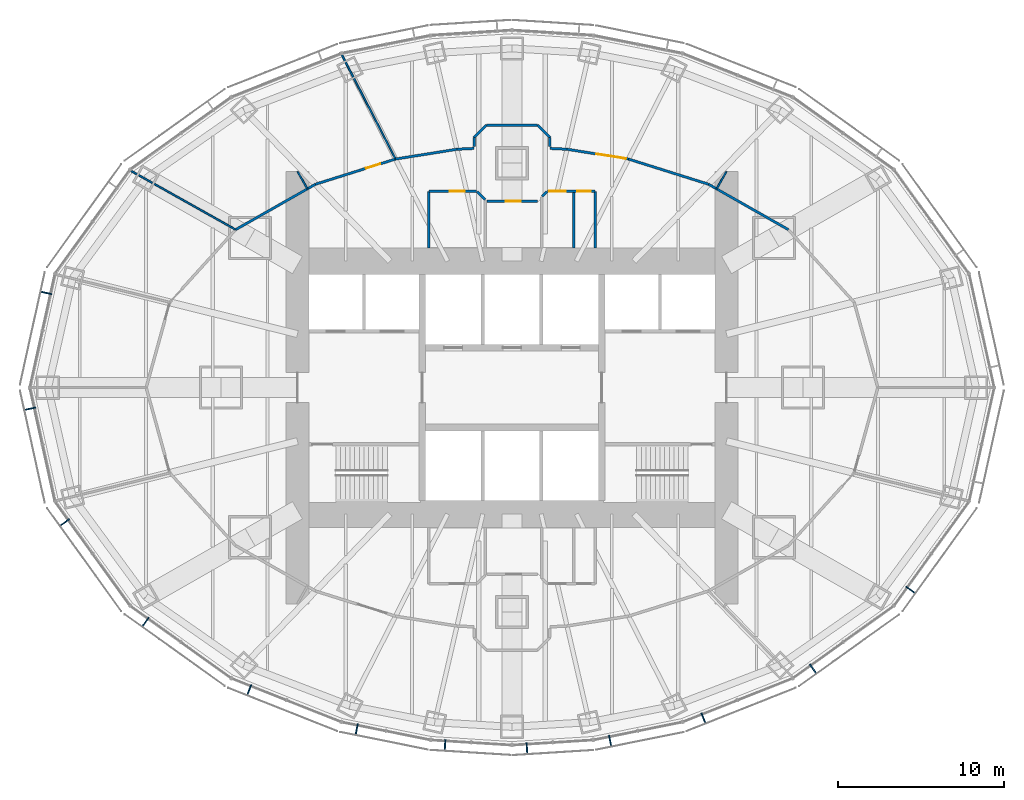
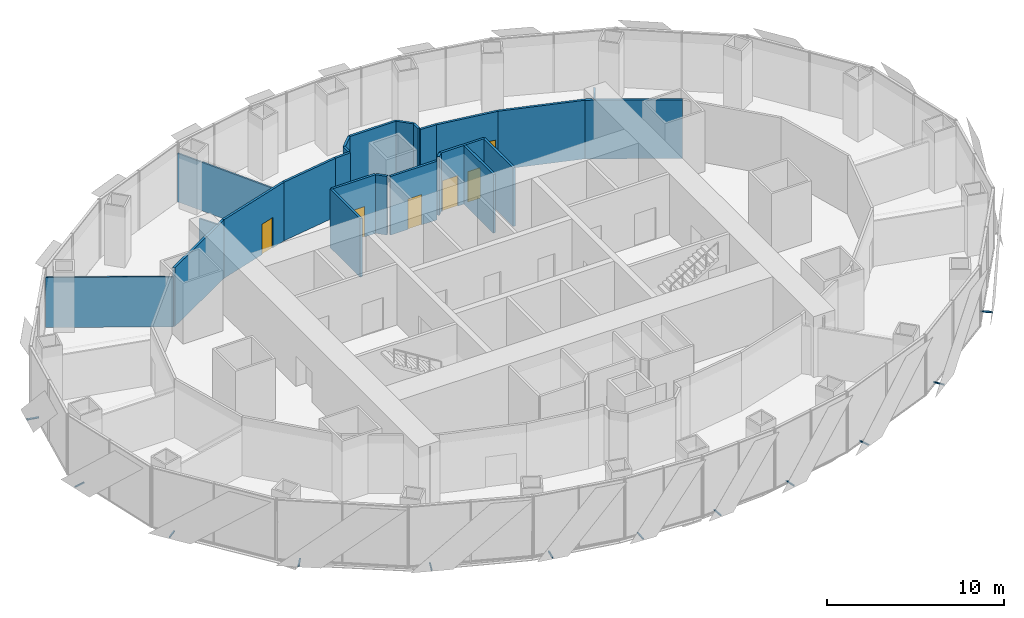
# One storey, part 13 of 17: 25 walls, 12 discrete accessories, 6 doors, 6 openings.
"""IFC4 building model written with IfcOpenShell, lengths in metres."""

from ifc_helpers import new_model, si_unit, direction, frame, frame_2d, origin, origin_2d, place, context, subcontext, project, spatial, rectangle, extrude, material, layer, layer_set, type_object, element, fill, save


model = new_model("IFC4")

# Units and contexts
model_context = context("Model", 3, precision=1e-05, world=origin(), true_north=direction((0.0, 1.0)))
body_context = subcontext(model_context, "Body", "Model", "MODEL_VIEW")
ifc_project = project(units=[si_unit("LENGTHUNIT", "METRE"), si_unit("AREAUNIT", "SQUARE_METRE"), si_unit("VOLUMEUNIT", "CUBIC_METRE"), si_unit("PLANEANGLEUNIT", "RADIAN"), si_unit("MASSUNIT", "GRAM", prefix="KILO")], contexts=[model_context])

# Site, building, storey
site_placement = place(None, origin())
site = spatial("IfcSite", under=ifc_project, at=site_placement, CompositionType="ELEMENT")
building_placement = place(site_placement, origin())
building = spatial("IfcBuilding", under=site, at=building_placement, Name="Lantaw Convention Tower", CompositionType="ELEMENT")
storey_placement = place(building_placement, frame((0.0, 0.0, 117.39990234375)))
storey = spatial("IfcBuildingStorey", under=building, at=storey_placement, Name="L27", CompositionType="ELEMENT", Elevation=117.39990234375)

# Walls
ifc_material_1 = material(Name="Gypsum board on steel studs, fire rated", Category="steel")
ifc_layer_1 = layer(ifc_material_1, 0.14990234375)
ifc_layer_set_1 = layer_set([ifc_layer_1], Name="Corridor wall 150 EI 60")
wall_type_1 = type_object("IfcWallType", Name="Corridor wall 150 EI 60", PredefinedType="PARTITIONING", material=ifc_layer_set_1)
wall_1_placement = place(storey_placement, frame((16.62255859375, 9.49853515625, 0.0), z_axis=(0.0, 0.0, 1.0), x_axis=(-0.869375991036, 0.494151177485, 0.0)))
element("IfcWall", 1, at=wall_1_placement, inside=storey, type_object=wall_type_1, Name="Corridor wall 150", PredefinedType="PARTITIONING", context=body_context, shape_type="SweptSolid", body=[
    extrude(rectangle(XDim=5.532470703125, YDim=0.14990234375, at=frame_2d((2.76611328125, 0.0))), origin(), (0.0, 0.0, 1.0), 4.050048828125),
])
wall_2_placement = place(storey_placement, frame((11.812744140625, 12.232421875, 0.0), z_axis=(0.0, 0.0, 1.0), x_axis=(-0.953893934057, 0.300143903101, 0.0)))
element("IfcWall", 2, at=wall_2_placement, inside=storey, type_object=wall_type_1, Name="Corridor wall 150", PredefinedType="PARTITIONING", context=body_context, shape_type="SweptSolid", body=[
    extrude(rectangle(XDim=5.04150390625, YDim=0.14990234375, at=frame_2d((2.520751953125, 0.0))), origin(), (0.0, 0.0, 1.0), 4.050048828125),
])

# Wall, opening, door
wall_3_placement = place(storey_placement, frame((7.003662109375, 13.74560546875, 0.0), z_axis=(0.0, 0.0, 1.0), x_axis=(-0.987511396594, 0.157547585181, 0.0)))
wall_3 = element("IfcWall", 3, at=wall_3_placement, inside=storey, type_object=wall_type_1, Name="Corridor wall 150", PredefinedType="PARTITIONING", context=body_context, shape_type="SweptSolid", body=[
    extrude(rectangle(XDim=3.74072265625, YDim=0.14990234375, at=frame_2d((1.870361328125, 0.0))), origin(), (0.0, 0.0, 1.0), 4.050048828125),
])
opening_1_placement = place(wall_3_placement, frame((0.14990234375, 0.0, 0.0)))
opening_1 = element("IfcOpeningElement", 4, at=opening_1_placement, cuts=wall_3, Name="Opening L27.22", PredefinedType="OPENING", context=body_context, shape_type="SweptSolid", body=[
    extrude(rectangle(XDim=1.800048828125, YDim=2.10009765625, at=frame_2d((0.89990234375, 1.050048828125))), frame((0.0, 0.0849609375, 0.0), z_axis=(0.0, -1.0, 0.0), x_axis=(1.0, 0.0, 0.0)), (0.0, 0.0, 1.0), 0.169921875),
])
ifc_material_2 = material(Name="Steel, fire rated", Category="steel")
door_type_1 = type_object("IfcDoorType", Name="Office double door 1800 FD30", OperationType="DOUBLE_DOOR_DOUBLE_SWING", PredefinedType="DOOR", material=ifc_material_2)
door_1_placement = place(opening_1_placement, origin())
door_1 = element("IfcDoor", 5, at=door_1_placement, inside=storey, type_object=door_type_1, Name="Contact-centre floor door", OperationType="DOUBLE_DOOR_DOUBLE_SWING", OverallHeight=2.10009765625, OverallWidth=1.800048828125, PredefinedType="DOOR", context=body_context, shape_type="SweptSolid", body=[
    extrude(rectangle(XDim=1.800048828125, YDim=2.10009765625, at=frame_2d((0.89990234375, 1.050048828125))), frame((0.0, 0.02490234375, 0.0), z_axis=(0.0, -1.0, 0.0), x_axis=(1.0, 0.0, 0.0)), (0.0, 0.0, 1.0), 0.050048828125),
])
fill(opening_1, door_1)

# Wall
wall_4_placement = place(storey_placement, frame((-3.3095703125, 14.3349609375, 0.0), z_axis=(0.0, 0.0, 1.0), x_axis=(-0.987511396594, -0.157547585181, 0.0)))
element("IfcWall", 6, at=wall_4_placement, inside=storey, type_object=wall_type_1, Name="Corridor wall 150", PredefinedType="PARTITIONING", context=body_context, shape_type="SweptSolid", body=[
    extrude(rectangle(XDim=3.74072265625, YDim=0.14990234375, at=frame_2d((1.870361328125, 0.0))), origin(), (0.0, 0.0, 1.0), 4.050048828125),
])

# Wall, opening, door
wall_5_placement = place(storey_placement, frame((-7.003662109375, 13.74560546875, 0.0), z_axis=(0.0, 0.0, 1.0), x_axis=(-0.953893934057, -0.300143903101, 0.0)))
wall_5 = element("IfcWall", 7, at=wall_5_placement, inside=storey, type_object=wall_type_1, Name="Corridor wall 150", PredefinedType="PARTITIONING", context=body_context, shape_type="SweptSolid", body=[
    extrude(rectangle(XDim=5.04150390625, YDim=0.14990234375, at=frame_2d((2.520751953125, 0.0))), origin(), (0.0, 0.0, 1.0), 4.050048828125),
])
opening_2_placement = place(wall_5_placement, frame((0.958740234375, 0.0, 0.0)))
opening_2 = element("IfcOpeningElement", 8, at=opening_2_placement, cuts=wall_5, Name="Opening L27.23", PredefinedType="OPENING", context=body_context, shape_type="SweptSolid", body=[
    extrude(rectangle(XDim=0.89990234375, YDim=2.10009765625, at=frame_2d((0.449951171875, 1.050048828125))), frame((0.0, 0.0849609375, 0.0), z_axis=(0.0, -1.0, 0.0), x_axis=(1.0, 0.0, 0.0)), (0.0, 0.0, 1.0), 0.169921875),
])
door_type_2 = type_object("IfcDoorType", Name="Office door 900 FD30", OperationType="SINGLE_SWING_LEFT", PredefinedType="DOOR", material=ifc_material_2)
door_2_placement = place(opening_2_placement, origin())
door_2 = element("IfcDoor", 9, at=door_2_placement, inside=storey, type_object=door_type_2, Name="Training room door", OperationType="SINGLE_SWING_LEFT", OverallHeight=2.10009765625, OverallWidth=0.89990234375, PredefinedType="DOOR", context=body_context, shape_type="SweptSolid", body=[
    extrude(rectangle(XDim=0.89990234375, YDim=2.10009765625, at=frame_2d((0.449951171875, 1.050048828125))), frame((0.0, 0.02490234375, 0.0), z_axis=(0.0, -1.0, 0.0), x_axis=(1.0, 0.0, 0.0)), (0.0, 0.0, 1.0), 0.050048828125),
])
fill(opening_2, door_2)

# Walls
wall_6_placement = place(storey_placement, frame((-11.812744140625, 12.232421875, 0.0), z_axis=(0.0, 0.0, 1.0), x_axis=(-0.869375991036, -0.494151177485, 0.0)))
element("IfcWall", 10, at=wall_6_placement, inside=storey, type_object=wall_type_1, Name="Corridor wall 150", PredefinedType="PARTITIONING", context=body_context, shape_type="SweptSolid", body=[
    extrude(rectangle(XDim=5.532470703125, YDim=0.14990234375, at=frame_2d((2.76611328125, 0.0))), origin(), (0.0, 0.0, 1.0), 4.050048828125),
])
for number, where, z_axis, x_axis, name in (
    (11, (3.3095703125, 14.3349609375, 0.0), (0.0, 0.0, 1.0), (-0.998761909217, 0.049745841003, 0.0), "Corridor wall 150"),
    (12, (-2.294921875, 14.385498046875, 0.0), (0.0, 0.0, 1.0), (-0.998761909217, -0.049745841003, 0.0), "Corridor wall 150"),
):
    element("IfcWall", number, at=place(storey_placement, frame(where, z_axis=z_axis, x_axis=x_axis)), inside=storey, type_object=wall_type_1, Name=name, PredefinedType="PARTITIONING", context=body_context, shape_type="SweptSolid", body=[
        extrude(rectangle(XDim=1.015869140625, YDim=0.14990234375, at=frame_2d((0.5078125, 0.0))), origin(), (0.0, 0.0, 1.0), 4.050048828125),
    ])
wall_7_placement = place(storey_placement, frame((-2.284912109375, 14.487060546875, 0.0), z_axis=(0.0, 0.0, 1.0), x_axis=(0.0, 1.0, 0.0)))
element("IfcWall", 13, at=wall_7_placement, inside=storey, type_object=wall_type_1, Name="Corridor wall 150", PredefinedType="PARTITIONING", context=body_context, shape_type="SweptSolid", body=[
    extrude(rectangle(XDim=0.545166015625, YDim=0.14990234375, at=frame_2d((0.2724609375, 0.0))), origin(), (0.0, 0.0, 1.0), 4.050048828125),
])
wall_8_placement = place(storey_placement, frame((-2.284912109375, 15.0322265625, 0.0), z_axis=(0.0, 0.0, 1.0), x_axis=(0.707106781187, 0.707106781187, 0.0)))
element("IfcWall", 14, at=wall_8_placement, inside=storey, type_object=wall_type_1, Name="Corridor wall 150", PredefinedType="PARTITIONING", context=body_context, shape_type="SweptSolid", body=[
    extrude(rectangle(XDim=1.064453125, YDim=0.14990234375, at=frame_2d((0.5322265625, 0.0))), origin(), (0.0, 0.0, 1.0), 4.050048828125),
])
wall_9_placement = place(storey_placement, frame((-1.5322265625, 15.784912109375, 0.0), z_axis=(0.0, 0.0, 1.0), x_axis=(1.0, 0.0, 0.0)))
element("IfcWall", 15, at=wall_9_placement, inside=storey, type_object=wall_type_1, Name="Corridor wall 150", PredefinedType="PARTITIONING", context=body_context, shape_type="SweptSolid", body=[
    extrude(rectangle(XDim=3.064453125, YDim=0.14990234375, at=frame_2d((1.5322265625, 0.0))), origin(), (0.0, 0.0, 1.0), 4.050048828125),
])
wall_10_placement = place(storey_placement, frame((1.5322265625, 15.784912109375, 0.0), z_axis=(0.0, 0.0, 1.0), x_axis=(0.707106781187, -0.707106781187, 0.0)))
element("IfcWall", 16, at=wall_10_placement, inside=storey, type_object=wall_type_1, Name="Corridor wall 150", PredefinedType="PARTITIONING", context=body_context, shape_type="SweptSolid", body=[
    extrude(rectangle(XDim=1.064453125, YDim=0.14990234375, at=frame_2d((0.5322265625, 0.0))), origin(), (0.0, 0.0, 1.0), 4.050048828125),
])
wall_11_placement = place(storey_placement, frame((2.284912109375, 15.0322265625, 0.0), z_axis=(0.0, 0.0, 1.0), x_axis=(0.0, -1.0, 0.0)))
element("IfcWall", 17, at=wall_11_placement, inside=storey, type_object=wall_type_1, Name="Corridor wall 150", PredefinedType="PARTITIONING", context=body_context, shape_type="SweptSolid", body=[
    extrude(rectangle(XDim=0.545166015625, YDim=0.14990234375, at=frame_2d((0.2724609375, 0.0))), origin(), (0.0, 0.0, 1.0), 4.050048828125),
])
ifc_material_3 = material(Name="Gypsum board on steel studs, acoustic", Category="steel")
ifc_layer_2 = layer(ifc_material_3, 0.10009765625)
ifc_layer_set_2 = layer_set([ifc_layer_2], Name="Office partition 100")
wall_type_2 = type_object("IfcWallType", Name="Office partition 100", PredefinedType="PARTITIONING", material=ifc_layer_set_2)
wall_12_placement = place(storey_placement, frame((-10.25341796875, 20.0517578125, 0.0), z_axis=(0.0, 0.0, 1.0), x_axis=(0.458082677592, -0.888909590729, 0.0)))
element("IfcWall", 18, at=wall_12_placement, inside=storey, type_object=wall_type_2, Name="Office partition 100", PredefinedType="PARTITIONING", context=body_context, shape_type="SweptSolid", body=[
    extrude(rectangle(XDim=7.09423828125, YDim=0.10009765625, at=frame_2d((3.547119140625, 0.0))), origin(), (0.0, 0.0, 1.0), 3.34912109375),
])
wall_13_placement = place(storey_placement, frame((-22.94921875, 13.058837890625, 0.0), z_axis=(0.0, 0.0, 1.0), x_axis=(0.871483913002, -0.490424091352, 0.0)))
element("IfcWall", 19, at=wall_13_placement, inside=storey, type_object=wall_type_2, Name="Office partition 100", PredefinedType="PARTITIONING", context=body_context, shape_type="SweptSolid", body=[
    extrude(rectangle(XDim=7.259521484375, YDim=0.10009765625, at=frame_2d((3.6298828125, 0.0))), origin(), (0.0, 0.0, 1.0), 3.45068359375),
])
for number, where, z_axis, x_axis, name in (
    (20, (12.89990234375, 13.0, 0.0), (0.0, 0.0, 1.0), (-0.494173075358, -0.869363543974, 0.0), "Office partition 100"),
    (21, (-12.89990234375, 13.0, 0.0), (0.0, 0.0, 1.0), (0.494173075358, -0.869363543974, 0.0), "Office partition 100"),
):
    element("IfcWall", number, at=place(storey_placement, frame(where, z_axis=z_axis, x_axis=x_axis)), inside=storey, type_object=wall_type_2, Name=name, PredefinedType="PARTITIONING", context=body_context, shape_type="SweptSolid", body=[
        extrude(rectangle(XDim=1.204345703125, YDim=0.10009765625, at=frame_2d((0.60205078125, 0.0))), origin(), (0.0, 0.0, 1.0), 4.050048828125),
    ])
ifc_material_4 = material(Name="Concrete blockwork", Category="masonry")
ifc_layer_3 = layer(ifc_material_4, 0.14990234375)
ifc_layer_set_3 = layer_set([ifc_layer_3], Name="WC wall 150")
wall_type_3 = type_object("IfcWallType", Name="WC wall 150", PredefinedType="SOLIDWALL", material=ifc_layer_set_3)
for number, where, z_axis, x_axis, name in (
    (22, (-5.0, 8.39990234375, 0.0), (0.0, 0.0, 1.0), (0.0, 1.0, 0.0), "WC wall 150"),
    (23, (5.0, 8.39990234375, 0.0), (0.0, 0.0, 1.0), (0.0, 1.0, 0.0), "WC wall 150"),
    (24, (3.699951171875, 8.39990234375, 0.0), (0.0, 0.0, 1.0), (0.0, 1.0, 0.0), "WC wall 150"),
):
    element("IfcWall", number, at=place(storey_placement, frame(where, z_axis=z_axis, x_axis=x_axis)), inside=storey, type_object=wall_type_3, Name=name, PredefinedType="SOLIDWALL", context=body_context, shape_type="SweptSolid", body=[
        extrude(rectangle(XDim=3.400146484375, YDim=0.14990234375, at=frame_2d((1.7001953125, 0.0))), origin(), (0.0, 0.0, 1.0), 4.050048828125),
    ])

# Wall, opening, door
wall_14_placement = place(storey_placement, frame((-5.0, 11.800048828125, 0.0), z_axis=(0.0, 0.0, 1.0), x_axis=(1.0, 0.0, 0.0)))
wall_14 = element("IfcWall", 25, at=wall_14_placement, inside=storey, type_object=wall_type_3, Name="WC wall 150", PredefinedType="SOLIDWALL", context=body_context, shape_type="SweptSolid", body=[
    extrude(rectangle(XDim=2.86865234375, YDim=0.14990234375, at=frame_2d((1.434326171875, 0.0))), origin(), (0.0, 0.0, 1.0), 4.050048828125),
])
opening_3_placement = place(wall_14_placement, frame((1.25, 0.0, 0.0)))
opening_3 = element("IfcOpeningElement", 26, at=opening_3_placement, cuts=wall_14, Name="Opening L27.14", PredefinedType="OPENING", context=body_context, shape_type="SweptSolid", body=[
    extrude(rectangle(XDim=0.89990234375, YDim=2.10009765625, at=frame_2d((0.449951171875, 1.050048828125))), frame((0.0, 0.0849609375, 0.0), z_axis=(0.0, -1.0, 0.0), x_axis=(1.0, 0.0, 0.0)), (0.0, 0.0, 1.0), 0.169921875),
])
ifc_material_5 = material(Name="Timber", Category="wood")
door_type_3 = type_object("IfcDoorType", Name="WC door 900", OperationType="SINGLE_SWING_LEFT", PredefinedType="DOOR", material=ifc_material_5)
door_3_placement = place(opening_3_placement, origin())
door_3 = element("IfcDoor", 27, at=door_3_placement, inside=storey, type_object=door_type_3, Name="Male WC door", OperationType="SINGLE_SWING_LEFT", OverallHeight=2.10009765625, OverallWidth=0.89990234375, PredefinedType="DOOR", context=body_context, shape_type="SweptSolid", body=[
    extrude(rectangle(XDim=0.89990234375, YDim=2.10009765625, at=frame_2d((0.449951171875, 1.050048828125))), frame((0.0, 0.02490234375, 0.0), z_axis=(0.0, -1.0, 0.0), x_axis=(1.0, 0.0, 0.0)), (0.0, 0.0, 1.0), 0.050048828125),
])
fill(opening_3, door_3)

# Wall, openings, doors
wall_15_placement = place(storey_placement, frame((2.13134765625, 11.800048828125, 0.0), z_axis=(0.0, 0.0, 1.0), x_axis=(1.0, 0.0, 0.0)))
wall_15 = element("IfcWall", 28, at=wall_15_placement, inside=storey, type_object=wall_type_3, Name="WC wall 150", PredefinedType="SOLIDWALL", context=body_context, shape_type="SweptSolid", body=[
    extrude(rectangle(XDim=2.86865234375, YDim=0.14990234375, at=frame_2d((1.434326171875, 0.0))), origin(), (0.0, 0.0, 1.0), 4.050048828125),
])
opening_4_placement = place(wall_15_placement, frame((0.10009765625, 0.0, 0.0)))
opening_4 = element("IfcOpeningElement", 29, at=opening_4_placement, cuts=wall_15, Name="Opening L27.16", PredefinedType="OPENING", context=body_context, shape_type="SweptSolid", body=[
    extrude(rectangle(XDim=1.0, YDim=2.10009765625, at=frame_2d((0.5, 1.050048828125))), frame((0.0, 0.0849609375, 0.0), z_axis=(0.0, -1.0, 0.0), x_axis=(1.0, 0.0, 0.0)), (0.0, 0.0, 1.0), 0.169921875),
])
opening_5_placement = place(wall_15_placement, frame((1.800048828125, 0.0, 0.0)))
opening_5 = element("IfcOpeningElement", 30, at=opening_5_placement, cuts=wall_15, Name="Opening L27.17", PredefinedType="OPENING", context=body_context, shape_type="SweptSolid", body=[
    extrude(rectangle(XDim=0.800048828125, YDim=2.10009765625, at=frame_2d((0.39990234375, 1.050048828125))), frame((0.0, 0.0849609375, 0.0), z_axis=(0.0, -1.0, 0.0), x_axis=(1.0, 0.0, 0.0)), (0.0, 0.0, 1.0), 0.169921875),
])
door_type_4 = type_object("IfcDoorType", Name="Accessible WC door 1000", OperationType="SINGLE_SWING_LEFT", PredefinedType="DOOR", material=ifc_material_5)
door_4_placement = place(opening_4_placement, origin())
door_4 = element("IfcDoor", 31, at=door_4_placement, inside=storey, type_object=door_type_4, Name="Accessible WC door", OperationType="SINGLE_SWING_LEFT", OverallHeight=2.10009765625, OverallWidth=1.0, PredefinedType="DOOR", context=body_context, shape_type="SweptSolid", body=[
    extrude(rectangle(XDim=1.0, YDim=2.10009765625, at=frame_2d((0.5, 1.050048828125))), frame((0.0, 0.02490234375, 0.0), z_axis=(0.0, -1.0, 0.0), x_axis=(1.0, 0.0, 0.0)), (0.0, 0.0, 1.0), 0.050048828125),
])
fill(opening_4, door_4)
door_type_5 = type_object("IfcDoorType", Name="WC door 800", OperationType="SINGLE_SWING_LEFT", PredefinedType="DOOR", material=ifc_material_5)
door_5_placement = place(opening_5_placement, origin())
door_5 = element("IfcDoor", 32, at=door_5_placement, inside=storey, type_object=door_type_5, Name="Cleaner's store door", OperationType="SINGLE_SWING_LEFT", OverallHeight=2.10009765625, OverallWidth=0.800048828125, PredefinedType="DOOR", context=body_context, shape_type="SweptSolid", body=[
    extrude(rectangle(XDim=0.800048828125, YDim=2.10009765625, at=frame_2d((0.39990234375, 1.050048828125))), frame((0.0, 0.02490234375, 0.0), z_axis=(0.0, -1.0, 0.0), x_axis=(1.0, 0.0, 0.0)), (0.0, 0.0, 1.0), 0.050048828125),
])
fill(opening_5, door_5)

# Wall
wall_16_placement = place(storey_placement, frame((-1.615966796875, 11.298583984375, 0.0), z_axis=(0.0, 0.0, 1.0), x_axis=(-0.706928959799, 0.707284557867, 0.0)))
element("IfcWall", 33, at=wall_16_placement, inside=storey, type_object=wall_type_3, Name="WC wall 150", PredefinedType="SOLIDWALL", context=body_context, shape_type="SweptSolid", body=[
    extrude(rectangle(XDim=0.6865234375, YDim=0.14990234375, at=frame_2d((0.34326171875, 0.0))), origin(), (0.0, 0.0, 1.0), 4.050048828125),
])

# Wall, opening, door
wall_17_placement = place(storey_placement, frame((1.5322265625, 11.215087890625, 0.0), z_axis=(0.0, 0.0, 1.0), x_axis=(-1.0, 0.0, 0.0)))
wall_17 = element("IfcWall", 34, at=wall_17_placement, inside=storey, type_object=wall_type_3, Name="WC wall 150", PredefinedType="SOLIDWALL", context=body_context, shape_type="SweptSolid", body=[
    extrude(rectangle(XDim=3.02734375, YDim=0.14990234375, at=frame_2d((1.513671875, 0.0))), origin(), (0.0, 0.0, 1.0), 4.050048828125),
])
opening_6_placement = place(wall_17_placement, frame((1.0, 0.0, 0.0)))
opening_6 = element("IfcOpeningElement", 35, at=opening_6_placement, cuts=wall_17, Name="Opening L27.15", PredefinedType="OPENING", context=body_context, shape_type="SweptSolid", body=[
    extrude(rectangle(XDim=0.89990234375, YDim=2.10009765625, at=frame_2d((0.449951171875, 1.050048828125))), frame((0.0, 0.0849609375, 0.0), z_axis=(0.0, -1.0, 0.0), x_axis=(1.0, 0.0, 0.0)), (0.0, 0.0, 1.0), 0.169921875),
])
door_6_placement = place(opening_6_placement, origin())
door_6 = element("IfcDoor", 36, at=door_6_placement, inside=storey, type_object=door_type_3, Name="Female WC door", OperationType="SINGLE_SWING_LEFT", OverallHeight=2.10009765625, OverallWidth=0.89990234375, PredefinedType="DOOR", context=body_context, shape_type="SweptSolid", body=[
    extrude(rectangle(XDim=0.89990234375, YDim=2.10009765625, at=frame_2d((0.449951171875, 1.050048828125))), frame((0.0, 0.02490234375, 0.0), z_axis=(0.0, -1.0, 0.0), x_axis=(1.0, 0.0, 0.0)), (0.0, 0.0, 1.0), 0.050048828125),
])
fill(opening_6, door_6)

# Wall
wall_18_placement = place(storey_placement, frame((2.101318359375, 11.7841796875, 0.0), z_axis=(0.0, 0.0, 1.0), x_axis=(-0.706804405012, -0.707409028113, 0.0)))
element("IfcWall", 37, at=wall_18_placement, inside=storey, type_object=wall_type_3, Name="WC wall 150", PredefinedType="SOLIDWALL", context=body_context, shape_type="SweptSolid", body=[
    extrude(rectangle(XDim=0.40380859375, YDim=0.14990234375, at=frame_2d((0.201904296875, 0.0))), origin(), (0.0, 0.0, 1.0), 4.050048828125),
])

# Discrete accessories
for number, where, z_axis, x_axis, name in (
    (38, (-28.008056640625, 5.6953125, -0.114990234375), (0.0, 0.0, 1.0), (-0.215546166174, -0.9764936509, 0.0), "Screen bracket"),
    (39, (-28.98486328125, -1.269775390625, -0.114990234375), (0.0, 0.0, 1.0), (0.215546166174, -0.9764936509, 0.0), "Screen bracket"),
    (40, (-26.900146484375, -8.111572265625, -0.114990234375), (0.0, 0.0, 1.0), (0.584512597221, -0.811384633629, 0.0), "Screen bracket"),
    (41, (-22.044189453125, -14.10546875, -0.114990234375), (0.0, 0.0, 1.0), (0.813208325995, -0.581972695693, 0.0), "Screen bracket"),
    (42, (-15.802978515625, -18.18798828125, -0.114990234375), (0.0, 0.0, 1.0), (0.929547687544, -0.368701907483, 0.0), "Screen bracket"),
    (43, (-9.339599609375, -20.56005859375, -0.114990234375), (0.0, 0.0, 1.0), (0.980301514912, -0.197506809659, 0.0), "Screen bracket"),
    (44, (-4.027099609375, -21.505859375, -0.114990234375), (0.0, 0.0, 1.0), (0.998022035978, -0.062865059466, 0.0), "Screen bracket"),
    (45, (0.89794921875, -21.702880859375, -0.114990234375), (0.0, 0.0, 1.0), (0.998022035978, 0.062865059466, 0.0), "Screen bracket"),
    (46, (5.903076171875, -21.25244140625, -0.114990234375), (0.0, 0.0, 1.0), (0.980301514912, 0.197506809659, 0.0), "Screen bracket"),
    (47, (11.517822265625, -19.887939453125, -0.114990234375), (0.0, 0.0, 1.0), (0.929547687544, 0.368701907483, 0.0), "Screen bracket"),
    (48, (18.10791015625, -16.922607421875, -0.114990234375), (0.0, 0.0, 1.0), (0.813208325995, 0.581972695693, 0.0), "Screen bracket"),
    (49, (23.9765625, -12.169677734375, -0.114990234375), (0.0, 0.0, 1.0), (0.584512597221, 0.811384633629, 0.0), "Screen bracket"),
):
    element("IfcDiscreteAccessory", number, at=place(storey_placement, frame(where, z_axis=z_axis, x_axis=x_axis)), inside=storey, Name=name, PredefinedType="BRACKET", context=body_context, shape_type="SweptSolid", body=[
        extrude(rectangle(XDim=0.080078125, YDim=0.68798828125, at=origin_2d()), origin(), (0.0, 0.0, 1.0), 0.080078125),
    ])

save(model, "model.ifc")
